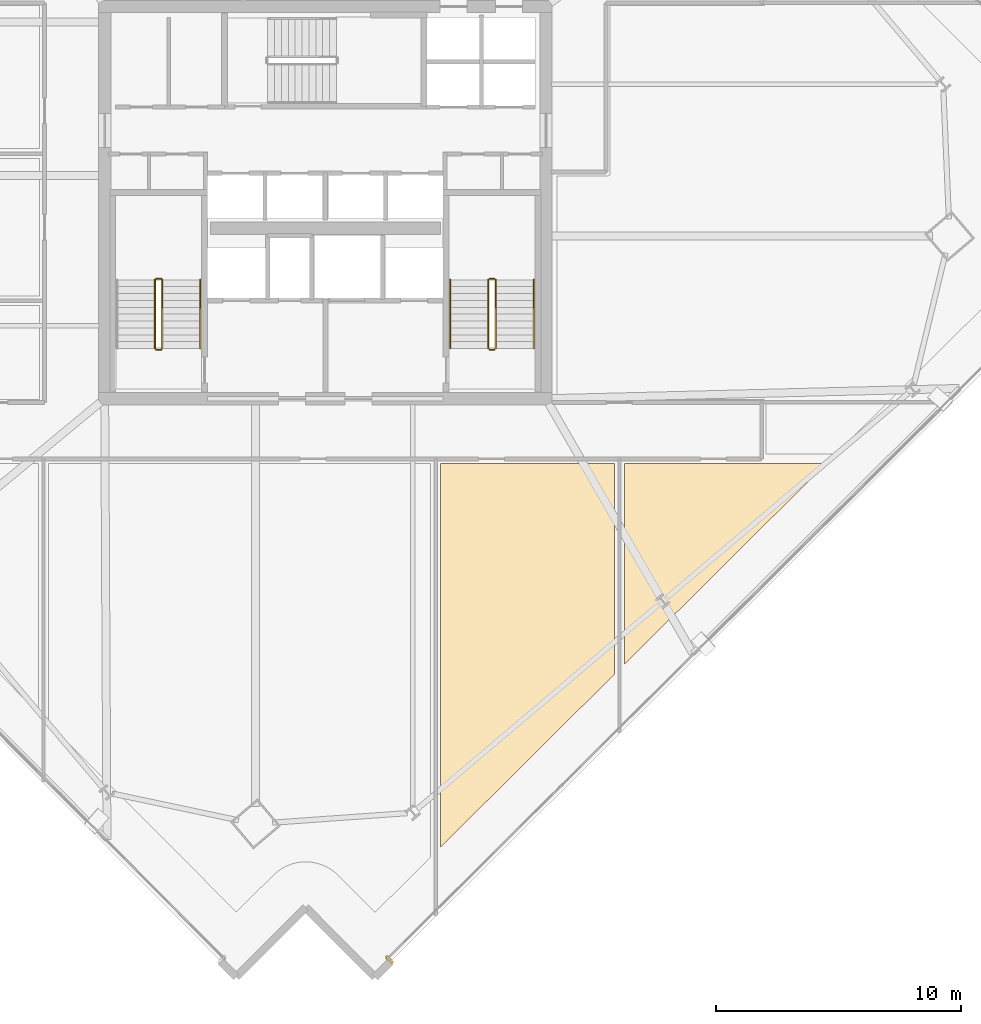
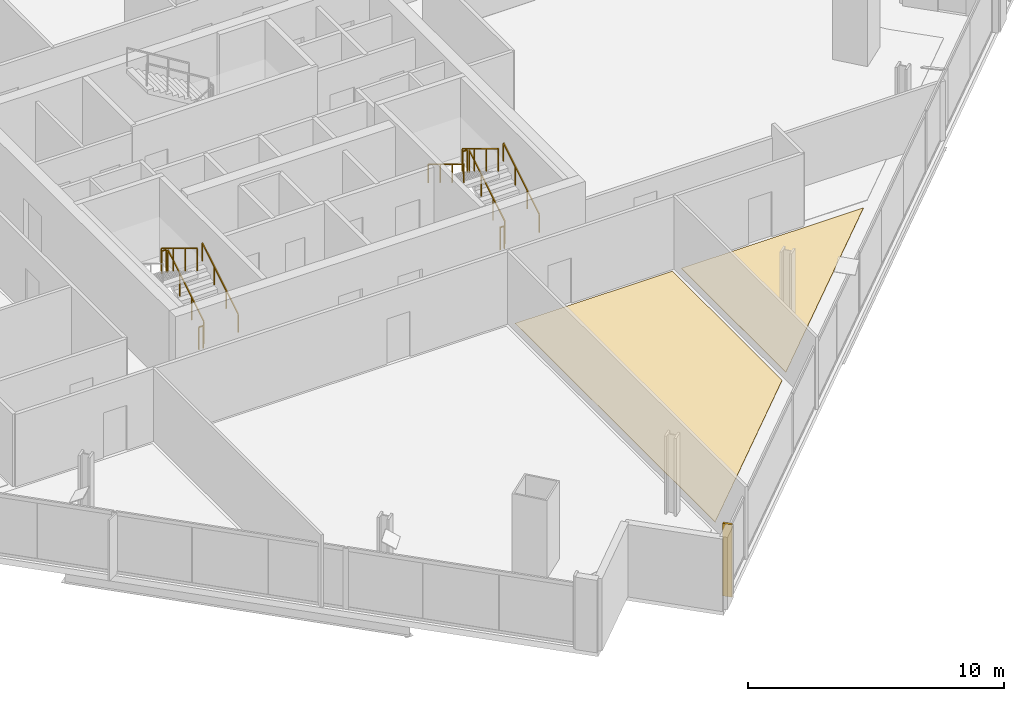
# One storey, part 29 of 32: 11 railings, 3 coverings.
"""IFC4 building model written with IfcOpenShell, lengths in metres."""

from ifc_helpers import new_model, si_unit, direction, frame, origin, origin_2d, place, context, subcontext, project, spatial, polyline, rectangle, outline, extrude, source, transform, mapped, material, layer, layer_set, type_object, element, save


model = new_model("IFC4")

# Units and contexts
model_context = context("Model", 3, precision=1e-05, world=origin(), true_north=direction((0.0, 1.0)))
body_context = subcontext(model_context, "Body", "Model", "MODEL_VIEW")
ifc_project = project(units=[si_unit("LENGTHUNIT", "METRE"), si_unit("AREAUNIT", "SQUARE_METRE"), si_unit("VOLUMEUNIT", "CUBIC_METRE"), si_unit("PLANEANGLEUNIT", "RADIAN"), si_unit("MASSUNIT", "GRAM", prefix="KILO")], contexts=[model_context])

# Site, building, storey
site_placement = place(None, origin())
site = spatial("IfcSite", under=ifc_project, at=site_placement, CompositionType="ELEMENT")
building_placement = place(site_placement, origin())
building = spatial("IfcBuilding", under=site, at=building_placement, Name="Haldenkirk Collegiate Tower", CompositionType="ELEMENT")
storey_placement = place(building_placement, frame((0.0, 0.0, 178.199951171875)))
storey = spatial("IfcBuildingStorey", under=building, at=storey_placement, Name="L44", CompositionType="ELEMENT", Elevation=178.199951171875)

# Coverings
ifc_material_1 = material(Name="Polished collegiate terrazzo", Category="concrete")
ifc_layer_1 = layer(ifc_material_1, 0.02490234375)
ifc_layer_set_1 = layer_set([ifc_layer_1], Name="Polished collegiate terrazzo")
covering_type_1 = type_object("IfcCoveringType", Name="COV-FLOOR-TERRAZZO", PredefinedType="FLOORING", material=ifc_layer_set_1)
covering_1_placement = place(storey_placement, origin())
element("IfcCovering", 1, at=covering_1_placement, inside=storey, type_object=covering_type_1, Name="L44 academic room finish 04", PredefinedType="FLOORING", context=body_context, shape_type="SweptSolid", body=[
    extrude(outline(polyline([(48.199951171875, 7.168212890625), (48.199951171875, 15.35009765625), (56.4248046875, 15.35009765625), (48.199951171875, 7.168212890625)])), origin(), (0.0, 0.0, 1.0), 0.025146484375),
])
ifc_material_2 = material(Name="Engineered collegiate oak acoustic flooring", Category="wood")
ifc_layer_2 = layer(ifc_material_2, 0.02197265625)
ifc_layer_set_2 = layer_set([ifc_layer_2], Name="Engineered collegiate oak acoustic flooring")
covering_type_2 = type_object("IfcCoveringType", Name="COV-FLOOR-TIMBER", PredefinedType="FLOORING", material=ifc_layer_set_2)
covering_2_placement = place(storey_placement, origin())
element("IfcCovering", 2, at=covering_2_placement, inside=storey, type_object=covering_type_2, Name="L44 academic room finish 03", PredefinedType="FLOORING", context=body_context, shape_type="SweptSolid", body=[
    extrude(outline(polyline([(40.699951171875, -0.29248046875), (40.699951171875, 15.35009765625), (47.800048828125, 15.35009765625), (47.800048828125, 6.770263671875), (40.699951171875, -0.29248046875)])), origin(), (0.0, 0.0, 1.0), 0.02197265625),
])

# Railings
ifc_material_3 = material(Name="Painted architectural tubular steel", Category="steel")
railing_type_1 = type_object("IfcRailingType", Name="RLG-STAIR-GUARD-1100", PredefinedType="BALUSTRADE", material=ifc_material_3)
railing_1_placement = place(storey_placement, frame((29.35009765625, 20.050048828125, 0.17041015625)))
element("IfcRailing", 3, at=railing_1_placement, inside=storey, type_object=railing_type_1, Name="L44 ST-1 stair guard 1", PredefinedType="BALUSTRADE", context=body_context, shape_type="SweptSolid", body=[
    extrude(rectangle(XDim=0.048095703125, YDim=0.048095703125, at=origin_2d()), frame((0.0, 0.0, 1.076171875), z_axis=(0.0, 0.854169791009, 0.51999420009), x_axis=(-1.0, 0.0, 0.0)), (0.0, 0.0, 1.0), 3.278076171875),
    extrude(rectangle(XDim=0.0419921875, YDim=0.0419921875, at=origin_2d()), origin(), (0.0, 0.0, 1.0), 1.052001953125),
    extrude(rectangle(XDim=0.0419921875, YDim=0.0419921875, at=origin_2d()), frame((0.0, 0.933349609375, 0.568115234375)), (0.0, 0.0, 1.0), 1.052001953125),
    extrude(rectangle(XDim=0.0419921875, YDim=0.0419921875, at=origin_2d()), frame((0.0, 1.86669921875, 1.136474609375)), (0.0, 0.0, 1.0), 1.052001953125),
    extrude(rectangle(XDim=0.0419921875, YDim=0.0419921875, at=origin_2d()), frame((0.0, 2.800048828125, 1.70458984375)), (0.0, 0.0, 1.0), 1.052001953125),
])
railing_2_placement = place(storey_placement, frame((29.300048828125, 22.89990234375, 1.875)))
element("IfcRailing", 4, at=railing_2_placement, inside=storey, type_object=railing_type_1, Name="L44 ST-1 stair guard 2", PredefinedType="BALUSTRADE", context=body_context, shape_type="SweptSolid", body=[
    extrude(rectangle(XDim=0.048095703125, YDim=0.048095703125, at=origin_2d()), frame((0.0, 0.0, 1.076171875), z_axis=(-1.0, 0.0, 0.0), x_axis=(0.0, -1.0, 0.0)), (0.0, 0.0, 1.0), 0.199951171875),
    extrude(rectangle(XDim=0.0419921875, YDim=0.0419921875, at=origin_2d()), origin(), (0.0, 0.0, 1.0), 1.052001953125),
    extrude(rectangle(XDim=0.0419921875, YDim=0.0419921875, at=origin_2d()), frame((-0.199951171875, 0.0, 0.0)), (0.0, 0.0, 1.0), 1.052001953125),
])
railing_3_placement = place(storey_placement, frame((29.050048828125, 22.85009765625, 2.04541015625)))
element("IfcRailing", 5, at=railing_3_placement, inside=storey, type_object=railing_type_1, Name="L44 ST-1 stair guard 3", PredefinedType="BALUSTRADE", context=body_context, shape_type="SweptSolid", body=[
    extrude(rectangle(XDim=0.048095703125, YDim=0.048095703125, at=origin_2d()), frame((0.0, 0.0, 1.076171875), z_axis=(0.0, -0.854169791009, 0.51999420009), x_axis=(1.0, 0.0, 0.0)), (0.0, 0.0, 1.0), 3.278076171875),
    extrude(rectangle(XDim=0.0419921875, YDim=0.0419921875, at=origin_2d()), origin(), (0.0, 0.0, 1.0), 1.052001953125),
    extrude(rectangle(XDim=0.0419921875, YDim=0.0419921875, at=origin_2d()), frame((0.0, -0.933349609375, 0.568115234375)), (0.0, 0.0, 1.0), 1.052001953125),
    extrude(rectangle(XDim=0.0419921875, YDim=0.0419921875, at=origin_2d()), frame((0.0, -1.86669921875, 1.136474609375)), (0.0, 0.0, 1.0), 1.052001953125),
    extrude(rectangle(XDim=0.0419921875, YDim=0.0419921875, at=origin_2d()), frame((0.0, -2.800048828125, 1.70458984375)), (0.0, 0.0, 1.0), 1.052001953125),
])
railing_4_placement = place(storey_placement, frame((29.300048828125, 20.0, 0.0)))
element("IfcRailing", 6, at=railing_4_placement, inside=storey, type_object=railing_type_1, Name="L44 ST-1 stair guard 4", PredefinedType="BALUSTRADE", context=body_context, shape_type="SweptSolid", body=[
    extrude(rectangle(XDim=0.048095703125, YDim=0.048095703125, at=origin_2d()), frame((0.0, 0.0, 1.076171875), z_axis=(-1.0, 0.0, 0.0), x_axis=(0.0, -1.0, 0.0)), (0.0, 0.0, 1.0), 0.199951171875),
    extrude(rectangle(XDim=0.0419921875, YDim=0.0419921875, at=origin_2d()), origin(), (0.0, 0.0, 1.0), 1.052001953125),
    extrude(rectangle(XDim=0.0419921875, YDim=0.0419921875, at=origin_2d()), frame((-0.199951171875, 0.0, 0.0)), (0.0, 0.0, 1.0), 1.052001953125),
])
railing_5_placement = place(storey_placement, frame((42.949951171875, 20.050048828125, 0.17041015625)))
element("IfcRailing", 7, at=railing_5_placement, inside=storey, type_object=railing_type_1, Name="L44 ST-2 stair guard 1", PredefinedType="BALUSTRADE", context=body_context, shape_type="SweptSolid", body=[
    extrude(rectangle(XDim=0.048095703125, YDim=0.048095703125, at=origin_2d()), frame((0.0, 0.0, 1.076171875), z_axis=(0.0, 0.854169791009, 0.51999420009), x_axis=(-1.0, 0.0, 0.0)), (0.0, 0.0, 1.0), 3.278076171875),
    extrude(rectangle(XDim=0.0419921875, YDim=0.0419921875, at=origin_2d()), origin(), (0.0, 0.0, 1.0), 1.052001953125),
    extrude(rectangle(XDim=0.0419921875, YDim=0.0419921875, at=origin_2d()), frame((0.0, 0.933349609375, 0.568115234375)), (0.0, 0.0, 1.0), 1.052001953125),
    extrude(rectangle(XDim=0.0419921875, YDim=0.0419921875, at=origin_2d()), frame((0.0, 1.86669921875, 1.136474609375)), (0.0, 0.0, 1.0), 1.052001953125),
    extrude(rectangle(XDim=0.0419921875, YDim=0.0419921875, at=origin_2d()), frame((0.0, 2.800048828125, 1.70458984375)), (0.0, 0.0, 1.0), 1.052001953125),
])
railing_6_placement = place(storey_placement, frame((42.89990234375, 22.89990234375, 1.875)))
element("IfcRailing", 8, at=railing_6_placement, inside=storey, type_object=railing_type_1, Name="L44 ST-2 stair guard 2", PredefinedType="BALUSTRADE", context=body_context, shape_type="SweptSolid", body=[
    extrude(rectangle(XDim=0.048095703125, YDim=0.048095703125, at=origin_2d()), frame((0.0, 0.0, 1.076171875), z_axis=(-1.0, 0.0, 0.0), x_axis=(0.0, -1.0, 0.0)), (0.0, 0.0, 1.0), 0.199951171875),
    extrude(rectangle(XDim=0.0419921875, YDim=0.0419921875, at=origin_2d()), origin(), (0.0, 0.0, 1.0), 1.052001953125),
    extrude(rectangle(XDim=0.0419921875, YDim=0.0419921875, at=origin_2d()), frame((-0.199951171875, 0.0, 0.0)), (0.0, 0.0, 1.0), 1.052001953125),
])
railing_7_placement = place(storey_placement, frame((42.64990234375, 22.85009765625, 2.04541015625)))
element("IfcRailing", 9, at=railing_7_placement, inside=storey, type_object=railing_type_1, Name="L44 ST-2 stair guard 3", PredefinedType="BALUSTRADE", context=body_context, shape_type="SweptSolid", body=[
    extrude(rectangle(XDim=0.048095703125, YDim=0.048095703125, at=origin_2d()), frame((0.0, 0.0, 1.076171875), z_axis=(0.0, -0.854169791009, 0.51999420009), x_axis=(1.0, 0.0, 0.0)), (0.0, 0.0, 1.0), 3.278076171875),
    extrude(rectangle(XDim=0.0419921875, YDim=0.0419921875, at=origin_2d()), origin(), (0.0, 0.0, 1.0), 1.052001953125),
    extrude(rectangle(XDim=0.0419921875, YDim=0.0419921875, at=origin_2d()), frame((0.0, -0.933349609375, 0.568115234375)), (0.0, 0.0, 1.0), 1.052001953125),
    extrude(rectangle(XDim=0.0419921875, YDim=0.0419921875, at=origin_2d()), frame((0.0, -1.86669921875, 1.136474609375)), (0.0, 0.0, 1.0), 1.052001953125),
    extrude(rectangle(XDim=0.0419921875, YDim=0.0419921875, at=origin_2d()), frame((0.0, -2.800048828125, 1.70458984375)), (0.0, 0.0, 1.0), 1.052001953125),
])
railing_8_placement = place(storey_placement, frame((42.89990234375, 20.0, 0.0)))
element("IfcRailing", 10, at=railing_8_placement, inside=storey, type_object=railing_type_1, Name="L44 ST-2 stair guard 4", PredefinedType="BALUSTRADE", context=body_context, shape_type="SweptSolid", body=[
    extrude(rectangle(XDim=0.048095703125, YDim=0.048095703125, at=origin_2d()), frame((0.0, 0.0, 1.076171875), z_axis=(-1.0, 0.0, 0.0), x_axis=(0.0, -1.0, 0.0)), (0.0, 0.0, 1.0), 0.199951171875),
    extrude(rectangle(XDim=0.0419921875, YDim=0.0419921875, at=origin_2d()), origin(), (0.0, 0.0, 1.0), 1.052001953125),
    extrude(rectangle(XDim=0.0419921875, YDim=0.0419921875, at=origin_2d()), frame((-0.199951171875, 0.0, 0.0)), (0.0, 0.0, 1.0), 1.052001953125),
])
railing_type_2 = type_object("IfcRailingType", Name="RLG-STAIR-HANDRAIL-900", PredefinedType="HANDRAIL", material=ifc_material_3)
for number, where, name in (
    (11, (30.89990234375, 20.050048828125, 0.17041015625), "L44 ST-1 stair handrail 1"),
    (12, (44.5, 20.050048828125, 0.17041015625), "L44 ST-2 stair handrail 1"),
):
    element("IfcRailing", number, at=place(storey_placement, frame(where)), inside=storey, type_object=railing_type_2, Name=name, PredefinedType="HANDRAIL", context=body_context, shape_type="SweptSolid", body=[
        extrude(rectangle(XDim=0.048095703125, YDim=0.048095703125, at=origin_2d()), frame((0.0, 0.0, 0.8759765625), z_axis=(0.0, 0.854169791009, 0.51999420009), x_axis=(-1.0, 0.0, 0.0)), (0.0, 0.0, 1.0), 3.278076171875),
        extrude(rectangle(XDim=0.0419921875, YDim=0.0419921875, at=origin_2d()), origin(), (0.0, 0.0, 1.0), 0.851806640625),
        extrude(rectangle(XDim=0.0419921875, YDim=0.0419921875, at=origin_2d()), frame((0.0, 0.933349609375, 0.568115234375)), (0.0, 0.0, 1.0), 0.851806640625),
        extrude(rectangle(XDim=0.0419921875, YDim=0.0419921875, at=origin_2d()), frame((0.0, 1.86669921875, 1.136474609375)), (0.0, 0.0, 1.0), 0.851806640625),
        extrude(rectangle(XDim=0.0419921875, YDim=0.0419921875, at=origin_2d()), frame((0.0, 2.800048828125, 1.70458984375)), (0.0, 0.0, 1.0), 0.851806640625),
    ])
railing_9_placement = place(storey_placement, frame((41.10009765625, 22.85009765625, 2.04541015625)))
element("IfcRailing", 13, at=railing_9_placement, inside=storey, type_object=railing_type_2, Name="L44 ST-2 stair handrail 2", PredefinedType="HANDRAIL", context=body_context, shape_type="SweptSolid", body=[
    extrude(rectangle(XDim=0.048095703125, YDim=0.048095703125, at=origin_2d()), frame((0.0, 0.0, 0.8759765625), z_axis=(0.0, -0.854169791009, 0.51999420009), x_axis=(1.0, 0.0, 0.0)), (0.0, 0.0, 1.0), 3.278076171875),
    extrude(rectangle(XDim=0.0419921875, YDim=0.0419921875, at=origin_2d()), origin(), (0.0, 0.0, 1.0), 0.851806640625),
    extrude(rectangle(XDim=0.0419921875, YDim=0.0419921875, at=origin_2d()), frame((0.0, -0.933349609375, 0.568115234375)), (0.0, 0.0, 1.0), 0.851806640625),
    extrude(rectangle(XDim=0.0419921875, YDim=0.0419921875, at=origin_2d()), frame((0.0, -1.86669921875, 1.136474609375)), (0.0, 0.0, 1.0), 0.851806640625),
    extrude(rectangle(XDim=0.0419921875, YDim=0.0419921875, at=origin_2d()), frame((0.0, -2.800048828125, 1.70458984375)), (0.0, 0.0, 1.0), 0.851806640625),
])

# Covering
ifc_material_4 = material(Name="Anodised architectural bronze aluminium", Category="aluminium")
ifc_layer_3 = layer(ifc_material_4, 0.06005859375)
ifc_layer_set_3 = layer_set([ifc_layer_3], Name="Anodised architectural bronze aluminium")
covering_type_3 = type_object("IfcCoveringType", Name="COV-CLAD-BRONZE-60", PredefinedType="CLADDING", material=ifc_layer_set_3)
shared_shape = source(origin(), body_context, "Body", "SweptSolid", [
    extrude(rectangle(XDim=0.10009765625, YDim=0.3798828125, at=origin_2d()), origin(), (0.0, 0.0, 1.0), 3.4599609375),
])
covering_3_placement = place(storey_placement, frame((38.61669921875, -4.875732421875, 0.0), z_axis=(0.0, 0.0, 1.0), x_axis=(-0.708955557081, -0.705253158862, 0.0)))
element("IfcCovering", 14, at=covering_3_placement, inside=storey, type_object=covering_type_3, Name="L44 recessed curtain-wall bronze jamb closure SJR", PredefinedType="CLADDING", context=body_context, shape_type="MappedRepresentation", body=[
    mapped(shared_shape, transform((0.0, 0.0, 0.0), x_axis=(1.0, 0.0, 0.0), y_axis=(0.0, 1.0, 0.0), z_axis=(0.0, 0.0, 1.0), scale=1.0)),
])

save(model, "model.ifc")
